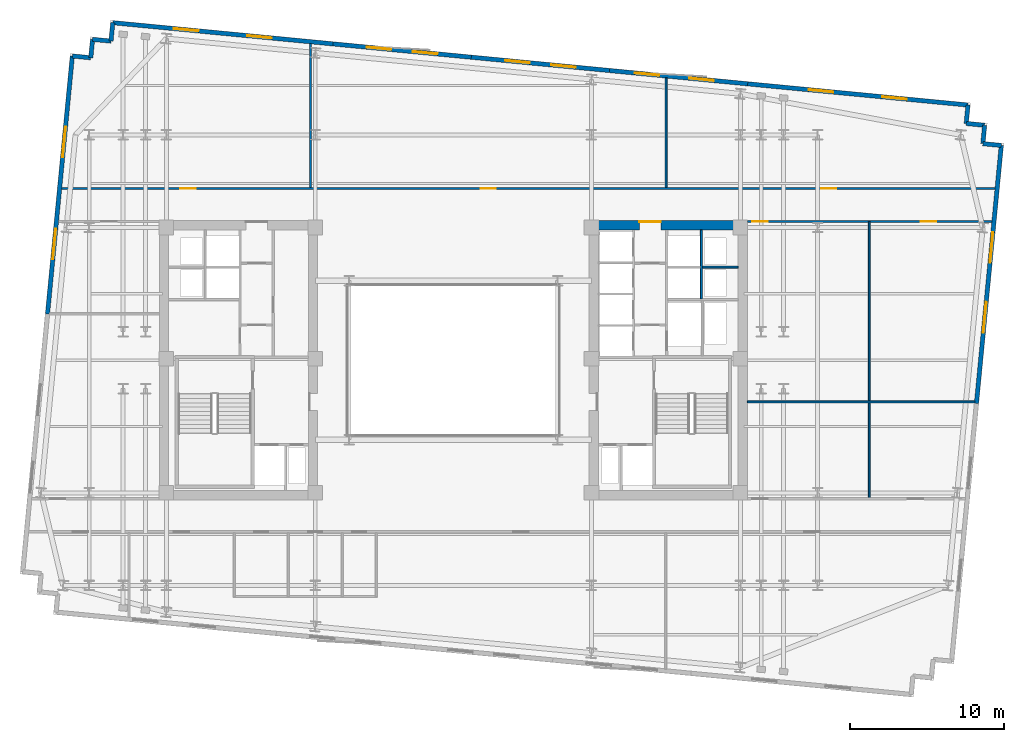
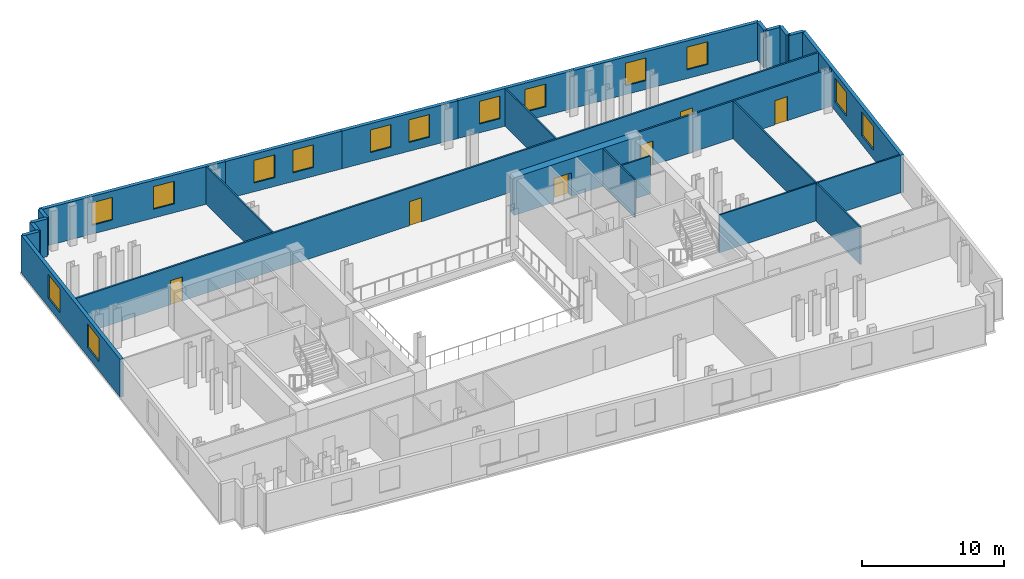
# One storey, part 6 of 9: 24 walls, 14 windows, 6 doors, 20 openings.
"""IFC4 building model written with IfcOpenShell, lengths in metres."""

from ifc_helpers import new_model, si_unit, direction, frame, frame_2d, origin, place, context, subcontext, project, spatial, rectangle, extrude, material, layer, layer_set, type_object, element, fill, save


model = new_model("IFC4")

# Units and contexts
model_context = context("Model", 3, precision=1e-05, world=origin(), true_north=direction((0.0, 1.0)))
body_context = subcontext(model_context, "Body", "Model", "MODEL_VIEW")
ifc_project = project(units=[si_unit("LENGTHUNIT", "METRE"), si_unit("AREAUNIT", "SQUARE_METRE"), si_unit("VOLUMEUNIT", "CUBIC_METRE"), si_unit("PLANEANGLEUNIT", "RADIAN"), si_unit("MASSUNIT", "GRAM", prefix="KILO")], contexts=[model_context])

# Site, building, storey
site_placement = place(None, origin())
site = spatial("IfcSite", under=ifc_project, at=site_placement, CompositionType="ELEMENT")
building_placement = place(site_placement, origin())
building = spatial("IfcBuilding", under=site, at=building_placement, Name="Velakula Bourse", CompositionType="ELEMENT")
storey_placement = place(building_placement, frame((0.0, 0.0, 163.85009765625)))
storey = spatial("IfcBuildingStorey", under=building, at=storey_placement, Name="L44", CompositionType="ELEMENT", Elevation=163.85009765625)

# Wall, opening, door
ifc_material_1 = material(Name="Concrete M70 (fck 70 MPa)", Category="concrete")
ifc_layer_1 = layer(ifc_material_1, 0.60009765625, Name="Concrete M70 (fck 70 MPa)", Category="concrete")
ifc_layer_set_1 = layer_set([ifc_layer_1], Name="Concrete M70 (fck 70 MPa)")
wall_type_1 = type_object("IfcWallType", Name="WL-CORE-600", PredefinedType="SHEAR", material=ifc_layer_set_1)
wall_1_placement = place(storey_placement, frame((8.800048828125, 8.75, 0.0), z_axis=(0.0, 0.0, 1.0), x_axis=(1.0, 0.0, 0.0)))
wall_1 = element("IfcWall", 1, at=wall_1_placement, inside=storey, type_object=wall_type_1, Name="L44 Core E Shear Wall N", PredefinedType="SHEAR", context=body_context, shape_type="SweptSolid", body=[
    extrude(rectangle(XDim=10.25, YDim=0.60009765625, at=frame_2d((5.125, 0.0))), origin(), (0.0, 0.0, 1.0), 3.27001953125),
])
opening_1_placement = place(wall_1_placement, frame((3.25, 0.0, 0.0)))
opening_1 = element("IfcOpeningElement", 2, at=opening_1_placement, cuts=wall_1, Name="Opening D-LLE", PredefinedType="OPENING", context=body_context, shape_type="SweptSolid", body=[
    extrude(rectangle(XDim=1.39990234375, YDim=2.050048828125, at=frame_2d((0.699951171875, 1.02490234375))), frame((0.0, 0.31005859375, 0.0), z_axis=(0.0, -1.0, 0.0), x_axis=(1.0, 0.0, 0.0)), (0.0, 0.0, 1.0), 0.6201171875),
])
ifc_material_2 = material(Name="Fire-rated hardwood flush architectural door", Category="wood")
door_type_1 = type_object("IfcDoorType", Name="DR-DBL-FD60-1400", OperationType="DOUBLE_DOOR_SINGLE_SWING", PredefinedType="DOOR", material=ifc_material_2)
door_1_placement = place(opening_1_placement, origin())
door_1 = element("IfcDoor", 3, at=door_1_placement, inside=storey, type_object=door_type_1, Name="L44 Core E Lift Lobby Corridor Double Door", OperationType="DOUBLE_DOOR_SINGLE_SWING", OverallHeight=2.050048828125, OverallWidth=1.39990234375, PredefinedType="DOOR", context=body_context, shape_type="SweptSolid", body=[
    extrude(rectangle(XDim=1.39990234375, YDim=2.050048828125, at=frame_2d((0.699951171875, 1.02490234375))), frame((0.0, 0.2451171875, 0.0), z_axis=(0.0, -1.0, 0.0), x_axis=(1.0, 0.0, 0.0)), (0.0, 0.0, 1.0), 0.050048828125),
])
fill(opening_1, door_1)

# Wall, openings, windows
ifc_material_3 = material(Name="Red kilned clay facing brick masonry", Category="masonry")
ifc_layer_2 = layer(ifc_material_3, 0.280029296875, Name="Red kilned clay facing brick masonry", Category="masonry")
ifc_layer_set_2 = layer_set([ifc_layer_2], Name="Red kilned clay facing brick masonry")
wall_type_2 = type_object("IfcWallType", Name="WL-EXT-BRK-280", PredefinedType="STANDARD", material=ifc_layer_set_2)
wall_2_placement = place(storey_placement, frame((-22.072509765625, 21.8701171875, 0.0), z_axis=(0.0, 0.0, 1.0), x_axis=(0.995395606285, -0.095851901334, 0.0)))
wall_2 = element("IfcWall", 4, at=wall_2_placement, inside=storey, type_object=wall_type_2, Name="L44 N Brick Spandrel Wall B1", PredefinedType="STANDARD", context=body_context, shape_type="SweptSolid", body=[
    extrude(rectangle(XDim=14.33984375, YDim=0.280029296875, at=frame_2d((7.169921875, 0.0))), origin(), (0.0, 0.0, 1.0), 3.25),
])
opening_2_placement = place(wall_2_placement, frame((3.97998046875, 0.0, 0.760009765625)))
opening_2 = element("IfcOpeningElement", 5, at=opening_2_placement, cuts=wall_2, Name="Opening W-02", PredefinedType="OPENING", context=body_context, shape_type="SweptSolid", body=[
    extrude(rectangle(XDim=1.60009765625, YDim=1.949951171875, at=frame_2d((0.800048828125, 0.97509765625))), frame((0.0, 0.14990234375, 0.0), z_axis=(0.0, -1.0, 0.0), x_axis=(1.0, 0.0, 0.0)), (0.0, 0.0, 1.0), 0.300048828125),
])
opening_3_placement = place(wall_2_placement, frame((8.760009765625, 0.0, 0.760009765625)))
opening_3 = element("IfcOpeningElement", 6, at=opening_3_placement, cuts=wall_2, Name="Opening W-02", PredefinedType="OPENING", context=body_context, shape_type="SweptSolid", body=[
    extrude(rectangle(XDim=1.60009765625, YDim=1.949951171875, at=frame_2d((0.800048828125, 0.97509765625))), frame((0.0, 0.14990234375, 0.0), z_axis=(0.0, -1.0, 0.0), x_axis=(1.0, 0.0, 0.0)), (0.0, 0.0, 1.0), 0.300048828125),
])
ifc_material_4 = material(Name="Double-glazed solar-control Low-E glass", Category="glass")
window_type_1 = type_object("IfcWindowType", Name="WIN-TWR-1600x2100", PartitioningType="SINGLE_PANEL", PredefinedType="WINDOW", material=ifc_material_4)
window_1_placement = place(opening_2_placement, origin())
window_1 = element("IfcWindow", 7, at=window_1_placement, inside=storey, type_object=window_type_1, Name="L44 Deep-Set Recessed Window 1", OverallHeight=1.949951171875, OverallWidth=1.60009765625, PartitioningType="SINGLE_PANEL", PredefinedType="WINDOW", context=body_context, shape_type="SweptSolid", body=[
    extrude(rectangle(XDim=1.60009765625, YDim=1.949951171875, at=frame_2d((0.800048828125, 0.97509765625))), frame((0.0, 0.030029296875, 0.0), z_axis=(0.0, -1.0, 0.0), x_axis=(1.0, 0.0, 0.0)), (0.0, 0.0, 1.0), 0.06005859375),
])
fill(opening_2, window_1)
window_2_placement = place(opening_3_placement, origin())
window_2 = element("IfcWindow", 8, at=window_2_placement, inside=storey, type_object=window_type_1, Name="L44 Deep-Set Recessed Window 2", OverallHeight=1.949951171875, OverallWidth=1.60009765625, PartitioningType="SINGLE_PANEL", PredefinedType="WINDOW", context=body_context, shape_type="SweptSolid", body=[
    extrude(rectangle(XDim=1.60009765625, YDim=1.949951171875, at=frame_2d((0.800048828125, 0.97509765625))), frame((0.0, 0.030029296875, 0.0), z_axis=(0.0, -1.0, 0.0), x_axis=(1.0, 0.0, 0.0)), (0.0, 0.0, 1.0), 0.06005859375),
])
fill(opening_3, window_2)

wall_3_placement = place(storey_placement, frame((-7.798583984375, 20.49560546875, 0.0), z_axis=(0.0, 0.0, 1.0), x_axis=(0.995396794462, -0.09583956164, 0.0)))
wall_3 = element("IfcWall", 9, at=wall_3_placement, inside=storey, type_object=wall_type_2, Name="L44 N Brick Spandrel Wall B2", PredefinedType="STANDARD", context=body_context, shape_type="SweptSolid", body=[
    extrude(rectangle(XDim=9.0, YDim=0.280029296875, at=frame_2d((4.5, 0.0))), origin(), (0.0, 0.0, 1.0), 3.25),
])
opening_4_placement = place(wall_3_placement, frame((2.199951171875, 0.0, 0.760009765625)))
opening_4 = element("IfcOpeningElement", 10, at=opening_4_placement, cuts=wall_3, Name="Opening W-02", PredefinedType="OPENING", context=body_context, shape_type="SweptSolid", body=[
    extrude(rectangle(XDim=1.60009765625, YDim=1.949951171875, at=frame_2d((0.800048828125, 0.97509765625))), frame((0.0, 0.14990234375, 0.0), z_axis=(0.0, -1.0, 0.0), x_axis=(1.0, 0.0, 0.0)), (0.0, 0.0, 1.0), 0.300048828125),
])
opening_5_placement = place(wall_3_placement, frame((5.199951171875, 0.0, 0.760009765625)))
opening_5 = element("IfcOpeningElement", 11, at=opening_5_placement, cuts=wall_3, Name="Opening W-02", PredefinedType="OPENING", context=body_context, shape_type="SweptSolid", body=[
    extrude(rectangle(XDim=1.60009765625, YDim=1.949951171875, at=frame_2d((0.800048828125, 0.97509765625))), frame((0.0, 0.14990234375, 0.0), z_axis=(0.0, -1.0, 0.0), x_axis=(1.0, 0.0, 0.0)), (0.0, 0.0, 1.0), 0.300048828125),
])
window_3_placement = place(opening_4_placement, origin())
window_3 = element("IfcWindow", 12, at=window_3_placement, inside=storey, type_object=window_type_1, Name="L44 Deep-Set Recessed Window 1", OverallHeight=1.949951171875, OverallWidth=1.60009765625, PartitioningType="SINGLE_PANEL", PredefinedType="WINDOW", context=body_context, shape_type="SweptSolid", body=[
    extrude(rectangle(XDim=1.60009765625, YDim=1.949951171875, at=frame_2d((0.800048828125, 0.97509765625))), frame((0.0, 0.030029296875, 0.0), z_axis=(0.0, -1.0, 0.0), x_axis=(1.0, 0.0, 0.0)), (0.0, 0.0, 1.0), 0.06005859375),
])
fill(opening_4, window_3)
window_4_placement = place(opening_5_placement, origin())
window_4 = element("IfcWindow", 13, at=window_4_placement, inside=storey, type_object=window_type_1, Name="L44 Deep-Set Recessed Window 2", OverallHeight=1.949951171875, OverallWidth=1.60009765625, PartitioningType="SINGLE_PANEL", PredefinedType="WINDOW", context=body_context, shape_type="SweptSolid", body=[
    extrude(rectangle(XDim=1.60009765625, YDim=1.949951171875, at=frame_2d((0.800048828125, 0.97509765625))), frame((0.0, 0.030029296875, 0.0), z_axis=(0.0, -1.0, 0.0), x_axis=(1.0, 0.0, 0.0)), (0.0, 0.0, 1.0), 0.06005859375),
])
fill(opening_5, window_4)

wall_4_placement = place(storey_placement, frame((1.159912109375, 19.633056640625, 0.0), z_axis=(0.0, 0.0, 1.0), x_axis=(0.995394455533, -0.09586385082, 0.0)))
wall_4 = element("IfcWall", 14, at=wall_4_placement, inside=storey, type_object=wall_type_2, Name="L44 N Brick Spandrel Wall B3", PredefinedType="STANDARD", context=body_context, shape_type="SweptSolid", body=[
    extrude(rectangle(XDim=9.000244140625, YDim=0.280029296875, at=frame_2d((4.5, 0.0))), origin(), (0.0, 0.0, 1.0), 3.25),
])
opening_6_placement = place(wall_4_placement, frame((2.199951171875, 0.0, 0.760009765625)))
opening_6 = element("IfcOpeningElement", 15, at=opening_6_placement, cuts=wall_4, Name="Opening W-02", PredefinedType="OPENING", context=body_context, shape_type="SweptSolid", body=[
    extrude(rectangle(XDim=1.60009765625, YDim=1.949951171875, at=frame_2d((0.800048828125, 0.97509765625))), frame((0.0, 0.14990234375, 0.0), z_axis=(0.0, -1.0, 0.0), x_axis=(1.0, 0.0, 0.0)), (0.0, 0.0, 1.0), 0.300048828125),
])
opening_7_placement = place(wall_4_placement, frame((5.199951171875, 0.0, 0.760009765625)))
opening_7 = element("IfcOpeningElement", 16, at=opening_7_placement, cuts=wall_4, Name="Opening W-02", PredefinedType="OPENING", context=body_context, shape_type="SweptSolid", body=[
    extrude(rectangle(XDim=1.60009765625, YDim=1.949951171875, at=frame_2d((0.800048828125, 0.97509765625))), frame((0.0, 0.14990234375, 0.0), z_axis=(0.0, -1.0, 0.0), x_axis=(1.0, 0.0, 0.0)), (0.0, 0.0, 1.0), 0.300048828125),
])
window_5_placement = place(opening_6_placement, origin())
window_5 = element("IfcWindow", 17, at=window_5_placement, inside=storey, type_object=window_type_1, Name="L44 Deep-Set Recessed Window 1", OverallHeight=1.949951171875, OverallWidth=1.60009765625, PartitioningType="SINGLE_PANEL", PredefinedType="WINDOW", context=body_context, shape_type="SweptSolid", body=[
    extrude(rectangle(XDim=1.60009765625, YDim=1.949951171875, at=frame_2d((0.800048828125, 0.97509765625))), frame((0.0, 0.030029296875, 0.0), z_axis=(0.0, -1.0, 0.0), x_axis=(1.0, 0.0, 0.0)), (0.0, 0.0, 1.0), 0.06005859375),
])
fill(opening_6, window_5)
window_6_placement = place(opening_7_placement, origin())
window_6 = element("IfcWindow", 18, at=window_6_placement, inside=storey, type_object=window_type_1, Name="L44 Deep-Set Recessed Window 2", OverallHeight=1.949951171875, OverallWidth=1.60009765625, PartitioningType="SINGLE_PANEL", PredefinedType="WINDOW", context=body_context, shape_type="SweptSolid", body=[
    extrude(rectangle(XDim=1.60009765625, YDim=1.949951171875, at=frame_2d((0.800048828125, 0.97509765625))), frame((0.0, 0.030029296875, 0.0), z_axis=(0.0, -1.0, 0.0), x_axis=(1.0, 0.0, 0.0)), (0.0, 0.0, 1.0), 0.06005859375),
])
fill(opening_7, window_6)

wall_5_placement = place(storey_placement, frame((10.11865234375, 18.770263671875, 0.0), z_axis=(0.0, 0.0, 1.0), x_axis=(0.995396794462, -0.09583956164, 0.0)))
wall_5 = element("IfcWall", 19, at=wall_5_placement, inside=storey, type_object=wall_type_2, Name="L44 N Brick Spandrel Wall B4", PredefinedType="STANDARD", context=body_context, shape_type="SweptSolid", body=[
    extrude(rectangle(XDim=9.0, YDim=0.280029296875, at=frame_2d((4.5, 0.0))), origin(), (0.0, 0.0, 1.0), 3.25),
])
opening_8_placement = place(wall_5_placement, frame((1.64990234375, 0.0, 0.760009765625)))
opening_8 = element("IfcOpeningElement", 20, at=opening_8_placement, cuts=wall_5, Name="Opening W-02", PredefinedType="OPENING", context=body_context, shape_type="SweptSolid", body=[
    extrude(rectangle(XDim=1.60009765625, YDim=1.949951171875, at=frame_2d((0.800048828125, 0.97509765625))), frame((0.0, 0.14990234375, 0.0), z_axis=(0.0, -1.0, 0.0), x_axis=(1.0, 0.0, 0.0)), (0.0, 0.0, 1.0), 0.300048828125),
])
opening_9_placement = place(wall_5_placement, frame((5.199951171875, 0.0, 0.760009765625)))
opening_9 = element("IfcOpeningElement", 21, at=opening_9_placement, cuts=wall_5, Name="Opening W-02", PredefinedType="OPENING", context=body_context, shape_type="SweptSolid", body=[
    extrude(rectangle(XDim=1.60009765625, YDim=1.949951171875, at=frame_2d((0.800048828125, 0.97509765625))), frame((0.0, 0.14990234375, 0.0), z_axis=(0.0, -1.0, 0.0), x_axis=(1.0, 0.0, 0.0)), (0.0, 0.0, 1.0), 0.300048828125),
])
window_7_placement = place(opening_8_placement, origin())
window_7 = element("IfcWindow", 22, at=window_7_placement, inside=storey, type_object=window_type_1, Name="L44 Deep-Set Recessed Window 1", OverallHeight=1.949951171875, OverallWidth=1.60009765625, PartitioningType="SINGLE_PANEL", PredefinedType="WINDOW", context=body_context, shape_type="SweptSolid", body=[
    extrude(rectangle(XDim=1.60009765625, YDim=1.949951171875, at=frame_2d((0.800048828125, 0.97509765625))), frame((0.0, 0.030029296875, 0.0), z_axis=(0.0, -1.0, 0.0), x_axis=(1.0, 0.0, 0.0)), (0.0, 0.0, 1.0), 0.06005859375),
])
fill(opening_8, window_7)
window_8_placement = place(opening_9_placement, origin())
window_8 = element("IfcWindow", 23, at=window_8_placement, inside=storey, type_object=window_type_1, Name="L44 Deep-Set Recessed Window 2", OverallHeight=1.949951171875, OverallWidth=1.60009765625, PartitioningType="SINGLE_PANEL", PredefinedType="WINDOW", context=body_context, shape_type="SweptSolid", body=[
    extrude(rectangle(XDim=1.60009765625, YDim=1.949951171875, at=frame_2d((0.800048828125, 0.97509765625))), frame((0.0, 0.030029296875, 0.0), z_axis=(0.0, -1.0, 0.0), x_axis=(1.0, 0.0, 0.0)), (0.0, 0.0, 1.0), 0.06005859375),
])
fill(opening_9, window_8)

wall_6_placement = place(storey_placement, frame((19.0771484375, 17.90771484375, 0.0), z_axis=(0.0, 0.0, 1.0), x_axis=(0.995395606285, -0.095851901334, 0.0)))
wall_6 = element("IfcWall", 24, at=wall_6_placement, inside=storey, type_object=wall_type_2, Name="L44 N Brick Spandrel Wall B5", PredefinedType="STANDARD", context=body_context, shape_type="SweptSolid", body=[
    extrude(rectangle(XDim=14.33984375, YDim=0.280029296875, at=frame_2d((7.169921875, 0.0))), origin(), (0.0, 0.0, 1.0), 3.25),
])
opening_10_placement = place(wall_6_placement, frame((3.97998046875, 0.0, 0.760009765625)))
opening_10 = element("IfcOpeningElement", 25, at=opening_10_placement, cuts=wall_6, Name="Opening W-02", PredefinedType="OPENING", context=body_context, shape_type="SweptSolid", body=[
    extrude(rectangle(XDim=1.60009765625, YDim=1.949951171875, at=frame_2d((0.800048828125, 0.97509765625))), frame((0.0, 0.14990234375, 0.0), z_axis=(0.0, -1.0, 0.0), x_axis=(1.0, 0.0, 0.0)), (0.0, 0.0, 1.0), 0.300048828125),
])
opening_11_placement = place(wall_6_placement, frame((8.760009765625, 0.0, 0.760009765625)))
opening_11 = element("IfcOpeningElement", 26, at=opening_11_placement, cuts=wall_6, Name="Opening W-02", PredefinedType="OPENING", context=body_context, shape_type="SweptSolid", body=[
    extrude(rectangle(XDim=1.60009765625, YDim=1.949951171875, at=frame_2d((0.800048828125, 0.97509765625))), frame((0.0, 0.14990234375, 0.0), z_axis=(0.0, -1.0, 0.0), x_axis=(1.0, 0.0, 0.0)), (0.0, 0.0, 1.0), 0.300048828125),
])
window_9_placement = place(opening_10_placement, origin())
window_9 = element("IfcWindow", 27, at=window_9_placement, inside=storey, type_object=window_type_1, Name="L44 Deep-Set Recessed Window 1", OverallHeight=1.949951171875, OverallWidth=1.60009765625, PartitioningType="SINGLE_PANEL", PredefinedType="WINDOW", context=body_context, shape_type="SweptSolid", body=[
    extrude(rectangle(XDim=1.60009765625, YDim=1.949951171875, at=frame_2d((0.800048828125, 0.97509765625))), frame((0.0, 0.030029296875, 0.0), z_axis=(0.0, -1.0, 0.0), x_axis=(1.0, 0.0, 0.0)), (0.0, 0.0, 1.0), 0.06005859375),
])
fill(opening_10, window_9)
window_10_placement = place(opening_11_placement, origin())
window_10 = element("IfcWindow", 28, at=window_10_placement, inside=storey, type_object=window_type_1, Name="L44 Deep-Set Recessed Window 2", OverallHeight=1.949951171875, OverallWidth=1.60009765625, PartitioningType="SINGLE_PANEL", PredefinedType="WINDOW", context=body_context, shape_type="SweptSolid", body=[
    extrude(rectangle(XDim=1.60009765625, YDim=1.949951171875, at=frame_2d((0.800048828125, 0.97509765625))), frame((0.0, 0.030029296875, 0.0), z_axis=(0.0, -1.0, 0.0), x_axis=(1.0, 0.0, 0.0)), (0.0, 0.0, 1.0), 0.06005859375),
])
fill(opening_11, window_10)

wall_7_placement = place(storey_placement, frame((-26.30078125, 2.998291015625, 0.0), z_axis=(0.0, 0.0, 1.0), x_axis=(0.095837640115, 0.99539697947, 0.0)))
wall_7 = element("IfcWall", 29, at=wall_7_placement, inside=storey, type_object=wall_type_2, Name="L44 W Brick End Wall W2", PredefinedType="STANDARD", context=body_context, shape_type="SweptSolid", body=[
    extrude(rectangle(XDim=16.790283203125, YDim=0.280029296875, at=frame_2d((8.39501953125, 0.0))), origin(), (0.0, 0.0, 1.0), 3.25),
])
opening_12_placement = place(wall_7_placement, frame((3.546630859375, 0.0, 0.760009765625)))
opening_12 = element("IfcOpeningElement", 30, at=opening_12_placement, cuts=wall_7, Name="Opening W-05", PredefinedType="OPENING", context=body_context, shape_type="SweptSolid", body=[
    extrude(rectangle(XDim=2.0, YDim=2.050048828125, at=frame_2d((1.0, 1.02490234375))), frame((0.0, 0.14990234375, 0.0), z_axis=(0.0, -1.0, 0.0), x_axis=(1.0, 0.0, 0.0)), (0.0, 0.0, 1.0), 0.300048828125),
])
opening_13_placement = place(wall_7_placement, frame((10.193359375, 0.0, 0.760009765625)))
opening_13 = element("IfcOpeningElement", 31, at=opening_13_placement, cuts=wall_7, Name="Opening W-05", PredefinedType="OPENING", context=body_context, shape_type="SweptSolid", body=[
    extrude(rectangle(XDim=2.0, YDim=2.050048828125, at=frame_2d((1.0, 1.02490234375))), frame((0.0, 0.14990234375, 0.0), z_axis=(0.0, -1.0, 0.0), x_axis=(1.0, 0.0, 0.0)), (0.0, 0.0, 1.0), 0.300048828125),
])
window_type_2 = type_object("IfcWindowType", Name="WIN-TWR-2000x2200", PartitioningType="DOUBLE_PANEL_VERTICAL", PredefinedType="WINDOW", material=ifc_material_4)
window_11_placement = place(opening_12_placement, origin())
window_11 = element("IfcWindow", 32, at=window_11_placement, inside=storey, type_object=window_type_2, Name="L44 Deep-Set Recessed Window 1", OverallHeight=2.050048828125, OverallWidth=2.0, PartitioningType="DOUBLE_PANEL_VERTICAL", PredefinedType="WINDOW", context=body_context, shape_type="SweptSolid", body=[
    extrude(rectangle(XDim=2.0, YDim=2.050048828125, at=frame_2d((1.0, 1.02490234375))), frame((0.0, 0.030029296875, 0.0), z_axis=(0.0, -1.0, 0.0), x_axis=(1.0, 0.0, 0.0)), (0.0, 0.0, 1.0), 0.06005859375),
])
fill(opening_12, window_11)
window_12_placement = place(opening_13_placement, origin())
window_12 = element("IfcWindow", 33, at=window_12_placement, inside=storey, type_object=window_type_2, Name="L44 Deep-Set Recessed Window 2", OverallHeight=2.050048828125, OverallWidth=2.0, PartitioningType="DOUBLE_PANEL_VERTICAL", PredefinedType="WINDOW", context=body_context, shape_type="SweptSolid", body=[
    extrude(rectangle(XDim=2.0, YDim=2.050048828125, at=frame_2d((1.0, 1.02490234375))), frame((0.0, 0.030029296875, 0.0), z_axis=(0.0, -1.0, 0.0), x_axis=(1.0, 0.0, 0.0)), (0.0, 0.0, 1.0), 0.06005859375),
])
fill(opening_13, window_12)

wall_8_placement = place(storey_placement, frame((35.510009765625, 13.914306640625, 0.0), z_axis=(0.0, 0.0, 1.0), x_axis=(-0.095839027265, -0.995396845913, 0.0)))
wall_8 = element("IfcWall", 34, at=wall_8_placement, inside=storey, type_object=wall_type_2, Name="L44 E Brick End Wall W2", PredefinedType="STANDARD", context=body_context, shape_type="SweptSolid", body=[
    extrude(rectangle(XDim=16.7900390625, YDim=0.280029296875, at=frame_2d((8.39501953125, 0.0))), origin(), (0.0, 0.0, 1.0), 3.25),
])
opening_14_placement = place(wall_8_placement, frame((5.646728515625, 0.0, 0.760009765625)))
opening_14 = element("IfcOpeningElement", 35, at=opening_14_placement, cuts=wall_8, Name="Opening W-05", PredefinedType="OPENING", context=body_context, shape_type="SweptSolid", body=[
    extrude(rectangle(XDim=2.0, YDim=2.050048828125, at=frame_2d((1.0, 1.02490234375))), frame((0.0, 0.14990234375, 0.0), z_axis=(0.0, -1.0, 0.0), x_axis=(1.0, 0.0, 0.0)), (0.0, 0.0, 1.0), 0.300048828125),
])
opening_15_placement = place(wall_8_placement, frame((10.193359375, 0.0, 0.760009765625)))
opening_15 = element("IfcOpeningElement", 36, at=opening_15_placement, cuts=wall_8, Name="Opening W-05", PredefinedType="OPENING", context=body_context, shape_type="SweptSolid", body=[
    extrude(rectangle(XDim=2.0, YDim=2.050048828125, at=frame_2d((1.0, 1.02490234375))), frame((0.0, 0.14990234375, 0.0), z_axis=(0.0, -1.0, 0.0), x_axis=(1.0, 0.0, 0.0)), (0.0, 0.0, 1.0), 0.300048828125),
])
window_13_placement = place(opening_14_placement, origin())
window_13 = element("IfcWindow", 37, at=window_13_placement, inside=storey, type_object=window_type_2, Name="L44 Deep-Set Recessed Window 1", OverallHeight=2.050048828125, OverallWidth=2.0, PartitioningType="DOUBLE_PANEL_VERTICAL", PredefinedType="WINDOW", context=body_context, shape_type="SweptSolid", body=[
    extrude(rectangle(XDim=2.0, YDim=2.050048828125, at=frame_2d((1.0, 1.02490234375))), frame((0.0, 0.030029296875, 0.0), z_axis=(0.0, -1.0, 0.0), x_axis=(1.0, 0.0, 0.0)), (0.0, 0.0, 1.0), 0.06005859375),
])
fill(opening_14, window_13)
window_14_placement = place(opening_15_placement, origin())
window_14 = element("IfcWindow", 38, at=window_14_placement, inside=storey, type_object=window_type_2, Name="L44 Deep-Set Recessed Window 2", OverallHeight=2.050048828125, OverallWidth=2.0, PartitioningType="DOUBLE_PANEL_VERTICAL", PredefinedType="WINDOW", context=body_context, shape_type="SweptSolid", body=[
    extrude(rectangle(XDim=2.0, YDim=2.050048828125, at=frame_2d((1.0, 1.02490234375))), frame((0.0, 0.030029296875, 0.0), z_axis=(0.0, -1.0, 0.0), x_axis=(1.0, 0.0, 0.0)), (0.0, 0.0, 1.0), 0.06005859375),
])
fill(opening_15, window_14)

# Walls
wall_9_placement = place(storey_placement, frame((35.510009765625, 13.914306640625, 0.0), z_axis=(0.0, 0.0, 1.0), x_axis=(-0.995397091755, 0.095836473879, 0.0)))
element("IfcWall", 39, at=wall_9_placement, inside=storey, type_object=wall_type_2, Name="L44 Serrated Corner Brick Wall NE-1", PredefinedType="STANDARD", context=body_context, shape_type="SweptSolid", body=[
    extrude(rectangle(XDim=1.199951171875, YDim=0.280029296875, at=frame_2d((0.60009765625, 0.0))), origin(), (0.0, 0.0, 1.0), 3.25),
])
for number, where, z_axis, x_axis, name in (
    (40, (34.315673828125, 14.029296875, 0.0), (0.0, 0.0, 1.0), (0.095817067274, 0.995398960025, 0.0), "L44 Serrated Corner Brick Wall NE-2"),
    (41, (34.4306640625, 15.223876953125, 0.0), (0.0, 0.0, 1.0), (-0.995398960025, 0.095817067274, 0.0), "L44 Serrated Corner Brick Wall NE-3"),
):
    element("IfcWall", number, at=place(storey_placement, frame(where, z_axis=z_axis, x_axis=x_axis)), inside=storey, type_object=wall_type_2, Name=name, PredefinedType="STANDARD", context=body_context, shape_type="SweptSolid", body=[
        extrude(rectangle(XDim=1.2001953125, YDim=0.280029296875, at=frame_2d((0.60009765625, 0.0))), origin(), (0.0, 0.0, 1.0), 3.25),
    ])
wall_10_placement = place(storey_placement, frame((33.236083984375, 15.3388671875, 0.0), z_axis=(0.0, 0.0, 1.0), x_axis=(0.095836473879, 0.995397091755, 0.0)))
element("IfcWall", 42, at=wall_10_placement, inside=storey, type_object=wall_type_2, Name="L44 Serrated Corner Brick Wall NE-4", PredefinedType="STANDARD", context=body_context, shape_type="SweptSolid", body=[
    extrude(rectangle(XDim=1.199951171875, YDim=0.280029296875, at=frame_2d((0.60009765625, 0.0))), origin(), (0.0, 0.0, 1.0), 3.25),
])
for number, where, z_axis, x_axis, name in (
    (43, (-22.072509765625, 21.8701171875, 0.0), (0.0, 0.0, 1.0), (-0.095817067274, -0.995398960025, 0.0), "L44 Serrated Corner Brick Wall NW-1"),
    (44, (-22.1875, 20.675537109375, 0.0), (0.0, 0.0, 1.0), (-0.995398960025, 0.095817067274, 0.0), "L44 Serrated Corner Brick Wall NW-2"),
    (45, (-23.382080078125, 20.79052734375, 0.0), (0.0, 0.0, 1.0), (-0.095817067274, -0.995398960025, 0.0), "L44 Serrated Corner Brick Wall NW-3"),
    (46, (-23.4970703125, 19.595947265625, 0.0), (0.0, 0.0, 1.0), (-0.995379537303, 0.096018626938, 0.0), "L44 Serrated Corner Brick Wall NW-4"),
):
    element("IfcWall", number, at=place(storey_placement, frame(where, z_axis=z_axis, x_axis=x_axis)), inside=storey, type_object=wall_type_2, Name=name, PredefinedType="STANDARD", context=body_context, shape_type="SweptSolid", body=[
        extrude(rectangle(XDim=1.2001953125, YDim=0.280029296875, at=frame_2d((0.60009765625, 0.0))), origin(), (0.0, 0.0, 1.0), 3.25),
    ])
ifc_material_5 = material(Name="Fire-rated double-layer gypsum drywall partition", Category="gypsum")
ifc_layer_3 = layer(ifc_material_5, 0.1201171875, Name="Fire-rated double-layer gypsum drywall partition", Category="gypsum")
ifc_layer_set_3 = layer_set([ifc_layer_3], Name="Fire-rated double-layer gypsum drywall partition")
wall_type_3 = type_object("IfcWallType", Name="WL-PART-120", PredefinedType="STANDARD", material=ifc_layer_set_3)
wall_11_placement = place(storey_placement, frame((16.14990234375, 6.030029296875, 0.0), z_axis=(0.0, 0.0, 1.0), x_axis=(1.0, 0.0, 0.0)))
element("IfcWall", 47, at=wall_11_placement, inside=storey, type_object=wall_type_3, Name="L44 Interior Partition WL-CRE-L44-RIS-MID", PredefinedType="STANDARD", context=body_context, shape_type="SweptSolid", body=[
    extrude(rectangle(XDim=2.300048828125, YDim=0.1201171875, at=frame_2d((1.14990234375, 0.0))), origin(), (0.0, 0.0, 1.0), 3.25),
])
wall_12_placement = place(storey_placement, frame((16.074951171875, 3.97998046875, 0.0), z_axis=(0.0, 0.0, 1.0), x_axis=(0.0, 1.0, 0.0)))
element("IfcWall", 48, at=wall_12_placement, inside=storey, type_object=wall_type_3, Name="L44 Interior Partition WL-CRE-L44-RIS-F", PredefinedType="STANDARD", context=body_context, shape_type="SweptSolid", body=[
    extrude(rectangle(XDim=4.469970703125, YDim=0.1201171875, at=frame_2d((2.23486328125, 0.0))), origin(), (0.0, 0.0, 1.0), 3.25),
])
wall_13_placement = place(storey_placement, frame((-9.260009765625, 11.18994140625, 0.0), z_axis=(0.0, 0.0, 1.0), x_axis=(0.0, 1.0, 0.0)))
element("IfcWall", 49, at=wall_13_placement, inside=storey, type_object=wall_type_3, Name="L44 Interior Partition WL-INT-L44-N-D1", PredefinedType="STANDARD", context=body_context, shape_type="SweptSolid", body=[
    extrude(rectangle(XDim=9.32568359375, YDim=0.1201171875, at=frame_2d((4.662841796875, 0.0))), origin(), (0.0, 0.0, 1.0), 3.25),
])
wall_14_placement = place(storey_placement, frame((13.784912109375, 11.18994140625, 0.0), z_axis=(0.0, 0.0, 1.0), x_axis=(0.0, 1.0, 0.0)))
element("IfcWall", 50, at=wall_14_placement, inside=storey, type_object=wall_type_3, Name="L44 Interior Partition WL-INT-L44-N-D2", PredefinedType="STANDARD", context=body_context, shape_type="SweptSolid", body=[
    extrude(rectangle(XDim=7.10693359375, YDim=0.1201171875, at=frame_2d((3.553466796875, 0.0))), origin(), (0.0, 0.0, 1.0), 3.25),
])
wall_15_placement = place(storey_placement, frame((19.050048828125, -2.699951171875, 0.0), z_axis=(0.0, 0.0, 1.0), x_axis=(1.0, 0.0, 0.0)))
element("IfcWall", 51, at=wall_15_placement, inside=storey, type_object=wall_type_3, Name="L44 Interior Partition WL-INT-L44-E-H", PredefinedType="STANDARD", context=body_context, shape_type="SweptSolid", body=[
    extrude(rectangle(XDim=14.73974609375, YDim=0.1201171875, at=frame_2d((7.369873046875, 0.0))), origin(), (0.0, 0.0, 1.0), 3.25),
])
wall_16_placement = place(storey_placement, frame((26.951904296875, -8.97998046875, 0.0), z_axis=(0.0, 0.0, 1.0), x_axis=(0.0, 1.0, 0.0)))
element("IfcWall", 52, at=wall_16_placement, inside=storey, type_object=wall_type_3, Name="L44 Interior Partition WL-INT-L44-E-V1", PredefinedType="STANDARD", context=body_context, shape_type="SweptSolid", body=[
    extrude(rectangle(XDim=17.9599609375, YDim=0.1201171875, at=frame_2d((8.97998046875, 0.0))), origin(), (0.0, 0.0, 1.0), 3.25),
])

# Wall, openings, doors
ifc_layer_4 = layer(ifc_material_5, 0.139892578125, Name="Fire-rated double-layer gypsum drywall partition", Category="gypsum")
ifc_layer_set_4 = layer_set([ifc_layer_4], Name="Fire-rated double-layer gypsum drywall partition")
wall_type_4 = type_object("IfcWallType", Name="WL-PART-140", PredefinedType="STANDARD", material=ifc_layer_set_4)
wall_17_placement = place(storey_placement, frame((-25.398193359375, 11.1201171875, 0.0), z_axis=(0.0, 0.0, 1.0), x_axis=(1.0, 0.0, 0.0)))
wall_17 = element("IfcWall", 53, at=wall_17_placement, inside=storey, type_object=wall_type_4, Name="L44 Interior Partition WL-INT-L44-N-CORR", PredefinedType="STANDARD", context=body_context, shape_type="SweptSolid", body=[
    extrude(rectangle(XDim=60.5185546875, YDim=0.139892578125, at=frame_2d((30.25927734375, 0.0))), origin(), (0.0, 0.0, 1.0), 3.25),
])
opening_16_placement = place(wall_17_placement, frame((7.695068359375, 0.0, 0.0)))
opening_16 = element("IfcOpeningElement", 54, at=opening_16_placement, cuts=wall_17, Name="Opening D-OF1", PredefinedType="OPENING", context=body_context, shape_type="SweptSolid", body=[
    extrude(rectangle(XDim=1.0, YDim=2.080078125, at=frame_2d((0.5, 1.0400390625))), frame((0.0, 0.079833984375, 0.0), z_axis=(0.0, -1.0, 0.0), x_axis=(1.0, 0.0, 0.0)), (0.0, 0.0, 1.0), 0.159912109375),
])
opening_17_placement = place(wall_17_placement, frame((27.16064453125, 0.0, 0.0)))
opening_17 = element("IfcOpeningElement", 55, at=opening_17_placement, cuts=wall_17, Name="Opening D-OF1", PredefinedType="OPENING", context=body_context, shape_type="SweptSolid", body=[
    extrude(rectangle(XDim=1.0, YDim=2.080078125, at=frame_2d((0.5, 1.0400390625))), frame((0.0, 0.079833984375, 0.0), z_axis=(0.0, -1.0, 0.0), x_axis=(1.0, 0.0, 0.0)), (0.0, 0.0, 1.0), 0.159912109375),
])
opening_18_placement = place(wall_17_placement, frame((49.224853515625, 0.0, 0.0)))
opening_18 = element("IfcOpeningElement", 56, at=opening_18_placement, cuts=wall_17, Name="Opening D-OF1", PredefinedType="OPENING", context=body_context, shape_type="SweptSolid", body=[
    extrude(rectangle(XDim=1.0, YDim=2.080078125, at=frame_2d((0.5, 1.0400390625))), frame((0.0, 0.079833984375, 0.0), z_axis=(0.0, -1.0, 0.0), x_axis=(1.0, 0.0, 0.0)), (0.0, 0.0, 1.0), 0.159912109375),
])
door_type_2 = type_object("IfcDoorType", Name="DR-OFF-1000", OperationType="NOTDEFINED", PredefinedType="DOOR", material=ifc_material_2)
door_2_placement = place(opening_16_placement, origin())
door_2 = element("IfcDoor", 57, at=door_2_placement, inside=storey, type_object=door_type_2, Name="L44 Maritime Freight Exchange Workspace Door", OperationType="SINGLE_SWING_LEFT", OverallHeight=2.080078125, OverallWidth=1.0, PredefinedType="DOOR", context=body_context, shape_type="SweptSolid", body=[
    extrude(rectangle(XDim=1.0, YDim=2.080078125, at=frame_2d((0.5, 1.0400390625))), frame((0.0, 0.02490234375, 0.0), z_axis=(0.0, -1.0, 0.0), x_axis=(1.0, 0.0, 0.0)), (0.0, 0.0, 1.0), 0.050048828125),
])
fill(opening_16, door_2)
door_3_placement = place(opening_17_placement, origin())
door_3 = element("IfcDoor", 58, at=door_3_placement, inside=storey, type_object=door_type_2, Name="L44 Yield Curve Seminar Room Door", OperationType="SINGLE_SWING_RIGHT", OverallHeight=2.080078125, OverallWidth=1.0, PredefinedType="DOOR", context=body_context, shape_type="SweptSolid", body=[
    extrude(rectangle(XDim=1.0, YDim=2.080078125, at=frame_2d((0.5, 1.0400390625))), frame((0.0, 0.02490234375, 0.0), z_axis=(0.0, -1.0, 0.0), x_axis=(1.0, 0.0, 0.0)), (0.0, 0.0, 1.0), 0.050048828125),
])
fill(opening_17, door_3)
door_4_placement = place(opening_18_placement, origin())
door_4 = element("IfcDoor", 59, at=door_4_placement, inside=storey, type_object=door_type_2, Name="L44 Traders Pantry Door", OperationType="SINGLE_SWING_LEFT", OverallHeight=2.080078125, OverallWidth=1.0, PredefinedType="DOOR", context=body_context, shape_type="SweptSolid", body=[
    extrude(rectangle(XDim=1.0, YDim=2.080078125, at=frame_2d((0.5, 1.0400390625))), frame((0.0, 0.02490234375, 0.0), z_axis=(0.0, -1.0, 0.0), x_axis=(1.0, 0.0, 0.0)), (0.0, 0.0, 1.0), 0.050048828125),
])
fill(opening_18, door_4)

wall_18_placement = place(storey_placement, frame((19.050048828125, 8.97998046875, 0.0), z_axis=(0.0, 0.0, 1.0), x_axis=(1.0, 0.0, 0.0)))
wall_18 = element("IfcWall", 60, at=wall_18_placement, inside=storey, type_object=wall_type_4, Name="L44 Interior Partition WL-INT-L44-E-NC", PredefinedType="STANDARD", context=body_context, shape_type="SweptSolid", body=[
    extrude(rectangle(XDim=15.8642578125, YDim=0.139892578125, at=frame_2d((7.93212890625, 0.0))), origin(), (0.0, 0.0, 1.0), 3.25),
])
opening_19_placement = place(wall_18_placement, frame((0.320068359375, 0.0, 0.0)))
opening_19 = element("IfcOpeningElement", 61, at=opening_19_placement, cuts=wall_18, Name="Opening D-OF1", PredefinedType="OPENING", context=body_context, shape_type="SweptSolid", body=[
    extrude(rectangle(XDim=1.0, YDim=2.080078125, at=frame_2d((0.5, 1.0400390625))), frame((0.0, 0.079833984375, 0.0), z_axis=(0.0, -1.0, 0.0), x_axis=(1.0, 0.0, 0.0)), (0.0, 0.0, 1.0), 0.159912109375),
])
opening_20_placement = place(wall_18_placement, frame((11.253173828125, 0.0, 0.0)))
opening_20 = element("IfcOpeningElement", 62, at=opening_20_placement, cuts=wall_18, Name="Opening D-OF1", PredefinedType="OPENING", context=body_context, shape_type="SweptSolid", body=[
    extrude(rectangle(XDim=1.0, YDim=2.080078125, at=frame_2d((0.5, 1.0400390625))), frame((0.0, 0.079833984375, 0.0), z_axis=(0.0, -1.0, 0.0), x_axis=(1.0, 0.0, 0.0)), (0.0, 0.0, 1.0), 0.159912109375),
])
door_5_placement = place(opening_19_placement, origin())
door_5 = element("IfcDoor", 63, at=door_5_placement, inside=storey, type_object=door_type_2, Name="L44 General Counsel Office Door", OperationType="SINGLE_SWING_LEFT", OverallHeight=2.080078125, OverallWidth=1.0, PredefinedType="DOOR", context=body_context, shape_type="SweptSolid", body=[
    extrude(rectangle(XDim=1.0, YDim=2.080078125, at=frame_2d((0.5, 1.0400390625))), frame((0.0, 0.02490234375, 0.0), z_axis=(0.0, -1.0, 0.0), x_axis=(1.0, 0.0, 0.0)), (0.0, 0.0, 1.0), 0.050048828125),
])
fill(opening_19, door_5)
door_6_placement = place(opening_20_placement, origin())
door_6 = element("IfcDoor", 64, at=door_6_placement, inside=storey, type_object=door_type_2, Name="L44 Risk Review Boardroom Door", OperationType="SINGLE_SWING_RIGHT", OverallHeight=2.080078125, OverallWidth=1.0, PredefinedType="DOOR", context=body_context, shape_type="SweptSolid", body=[
    extrude(rectangle(XDim=1.0, YDim=2.080078125, at=frame_2d((0.5, 1.0400390625))), frame((0.0, 0.02490234375, 0.0), z_axis=(0.0, -1.0, 0.0), x_axis=(1.0, 0.0, 0.0)), (0.0, 0.0, 1.0), 0.050048828125),
])
fill(opening_20, door_6)

save(model, "model.ifc")
